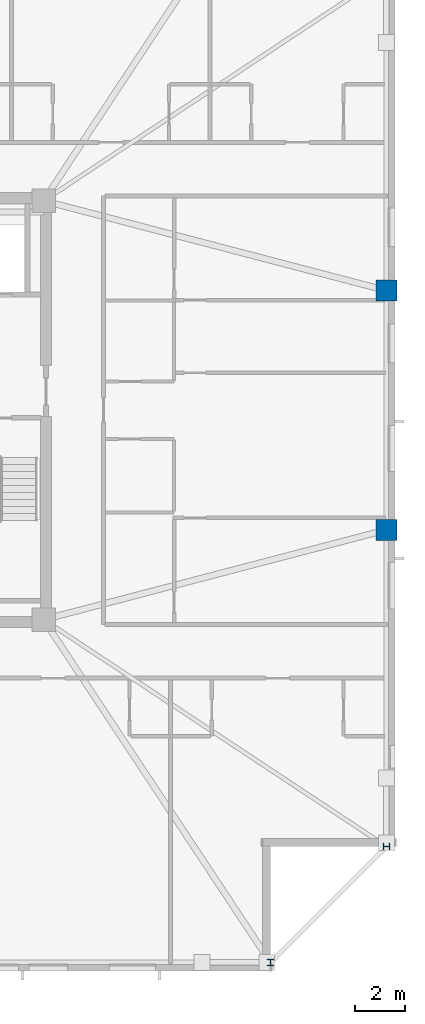
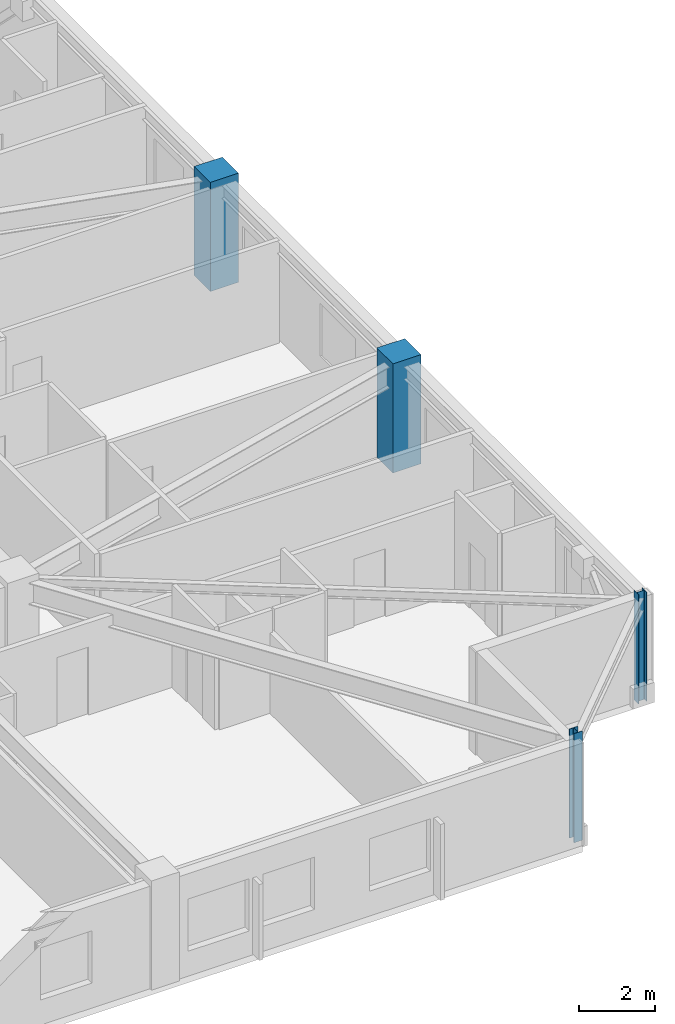
# One storey, part 3 of 17: 4 columns.
"""IFC4 building model written with IfcOpenShell, lengths in metres."""

from ifc_helpers import new_model, si_unit, direction, frame, origin, origin_2d, place, context, subcontext, project, spatial, rectangle, i_section, extrude, material, material_profile, profile_set, type_object, element, save


model = new_model("IFC4")

# Units and contexts
model_context = context("Model", 3, precision=1e-05, world=origin(), true_north=direction((0.0, 1.0)))
body_context = subcontext(model_context, "Body", "Model", "MODEL_VIEW")
ifc_project = project(units=[si_unit("LENGTHUNIT", "METRE"), si_unit("AREAUNIT", "SQUARE_METRE"), si_unit("VOLUMEUNIT", "CUBIC_METRE"), si_unit("PLANEANGLEUNIT", "RADIAN"), si_unit("MASSUNIT", "GRAM", prefix="KILO")], contexts=[model_context])

# Site, building, storey
site_placement = place(None, origin())
site = spatial("IfcSite", under=ifc_project, at=site_placement, CompositionType="ELEMENT")
building_placement = place(site_placement, origin())
building = spatial("IfcBuilding", under=site, at=building_placement, Name="Cairnveth Concourse Tower", CompositionType="ELEMENT")
storey_placement = place(building_placement, frame((0.0, 0.0, 244.5)))
storey = spatial("IfcBuildingStorey", under=building, at=storey_placement, Name="L67", CompositionType="ELEMENT", Elevation=244.5)

# Columns
ifc_material_1 = material(Name="Concrete N65 (65 MPa)", Category="concrete")
ifc_material_profile_1 = material_profile(ifc_material_1, rectangle(XDim=0.85009765625, YDim=0.85009765625, at=origin_2d()), Name="RC-COL-850x850")
ifc_profile_set_1 = profile_set([ifc_material_profile_1], Name="Concrete N65 (65 MPa)")
column_type_1 = type_object("IfcColumnType", Name="PERIMETER PIER COLUMN 850X850", PredefinedType="COLUMN", material=ifc_profile_set_1)
for number, where, z_axis, x_axis, name in (
    (1, (74.14990234375, 34.199951171875, 0.0), (0.0, 0.0, 1.0), (0.0, 1.0, 0.0), "Column P-E2 L67"),
    (2, (74.14990234375, 43.800048828125, 0.0), (0.0, 0.0, 1.0), (0.0, 1.0, 0.0), "Column P-E3 L67"),
):
    element("IfcColumn", number, at=place(storey_placement, frame(where, z_axis=z_axis, x_axis=x_axis)), inside=storey, type_object=column_type_1, Name=name, PredefinedType="COLUMN", context=body_context, shape_type="SweptSolid", body=[
        extrude(rectangle(XDim=0.85009765625, YDim=0.85009765625, at=origin_2d()), origin(), (0.0, 0.0, 1.0), 3.5),
    ])
ifc_material_2 = material(Name="Steel Grade 350", Category="steel")
ifc_material_profile_2 = material_profile(ifc_material_2, i_section(OverallWidth=0.256103515625, OverallDepth=0.260009765625, WebThickness=0.010498046875, FlangeThickness=0.017333984375, FilletRadius=0.012939453125, at=origin_2d()), Name="250UC89.5")
ifc_profile_set_2 = profile_set([ifc_material_profile_2], Name="Steel Grade 350")
column_type_2 = type_object("IfcColumnType", Name="UNIVERSAL STEEL COLUMN 250UC89.5", PredefinedType="COLUMN", material=ifc_profile_set_2)
for number, where, z_axis, x_axis, name in (
    (3, (69.5, 16.85009765625, 0.0), (0.0, 0.0, 1.0), (1.0, 0.0, 0.0), "Column P-S4 L67"),
    (4, (74.14990234375, 21.5, 0.0), (0.0, 0.0, 1.0), (0.0, 1.0, 0.0), "Column P-E1 L67"),
):
    element("IfcColumn", number, at=place(storey_placement, frame(where, z_axis=z_axis, x_axis=x_axis)), inside=storey, type_object=column_type_2, Name=name, PredefinedType="COLUMN", context=body_context, shape_type="SweptSolid", body=[
        extrude(i_section(OverallWidth=0.256103515625, OverallDepth=0.260009765625, WebThickness=0.010498046875, FlangeThickness=0.017333984375, FilletRadius=0.012939453125, at=origin_2d()), origin(), (0.0, 0.0, 1.0), 3.5),
    ])

save(model, "model.ifc")
